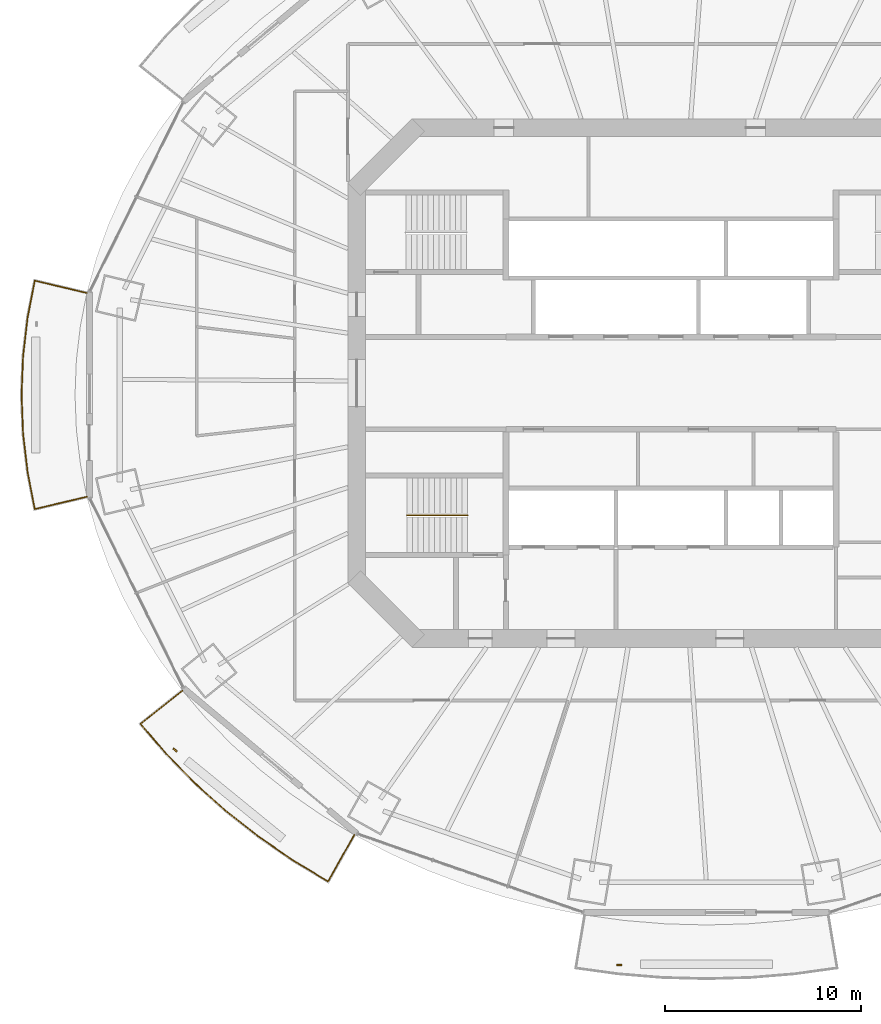
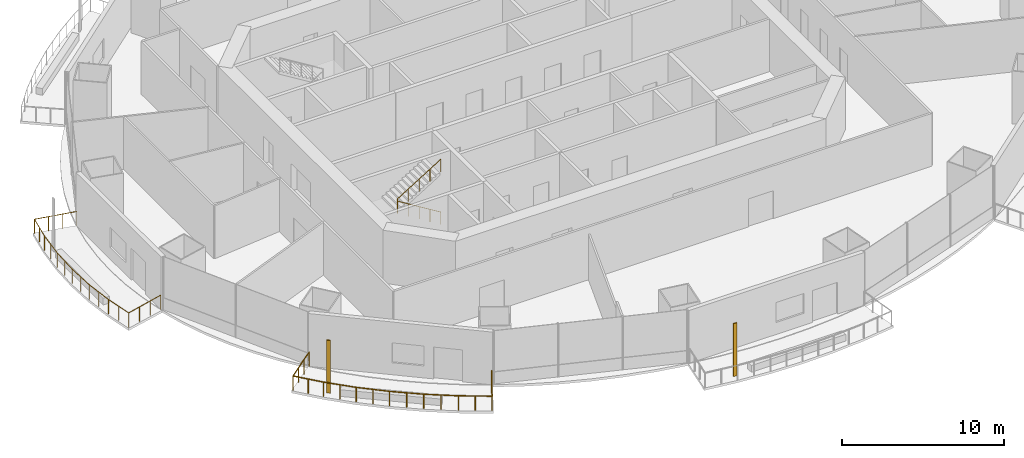
# One storey, part 15 of 20: 3 railings, 2 shading devices.
"""IFC4 building model written with IfcOpenShell, lengths in metres."""

from ifc_helpers import new_model, si_unit, direction, frame, origin, origin_2d, place, context, subcontext, project, spatial, rectangle, circle, extrude, material, material_profile, profile_set, type_object, element, save


model = new_model("IFC4")

# Units and contexts
model_context = context("Model", 3, precision=1e-05, world=origin(), true_north=direction((0.0, 1.0)))
body_context = subcontext(model_context, "Body", "Model", "MODEL_VIEW")
ifc_project = project(units=[si_unit("LENGTHUNIT", "METRE"), si_unit("AREAUNIT", "SQUARE_METRE"), si_unit("VOLUMEUNIT", "CUBIC_METRE"), si_unit("PLANEANGLEUNIT", "RADIAN"), si_unit("MASSUNIT", "GRAM", prefix="KILO")], contexts=[model_context])

# Site, building, storey
site_placement = place(None, origin())
site = spatial("IfcSite", under=ifc_project, at=site_placement, CompositionType="ELEMENT")
building_placement = place(site_placement, origin())
building = spatial("IfcBuilding", under=site, at=building_placement, Name="Marenthal Gate Tower", CompositionType="ELEMENT")
storey_placement = place(building_placement, frame((0.0, 0.0, 190.10009765625)))
storey = spatial("IfcBuildingStorey", under=building, at=storey_placement, Name="L41", CompositionType="ELEMENT", Elevation=190.10009765625)

# Railings
ifc_material_1 = material(Name="Stainless steel", Category="steel")
railing_type_1 = type_object("IfcRailingType", Name="Balcony guard 1100", PredefinedType="GUARDRAIL", material=ifc_material_1)
railing_1_placement = place(storey_placement, frame((-29.73583984375, -5.785888671875, 0.0)))
element("IfcRailing", 1, at=railing_1_placement, inside=storey, type_object=railing_type_1, Name="Balcony guard L41 bay 8", PredefinedType="GUARDRAIL", context=body_context, shape_type="SweptSolid", body=[
    extrude(circle(Radius=0.02392578125, at=origin_2d()), frame((0.0, 0.0, 1.076171875), z_axis=(-0.973011948097, -0.230284879064, -0.014718129449), x_axis=(0.230309825657, -0.973117353769, 0.0)), (0.0, 0.0, 1.0), 2.720458984375),
    extrude(circle(Radius=0.02392578125, at=origin_2d()), frame((-2.64697265625, -0.62646484375, 1.0361328125), z_axis=(-0.191356774256, 0.981520547389, 0.0), x_axis=(-0.981520547389, -0.191356774256, 0.0)), (0.0, 0.0, 1.0), 1.90478515625),
    extrude(circle(Radius=0.02392578125, at=origin_2d()), frame((-3.011474609375, 1.2431640625, 1.0361328125), z_axis=(-0.116519312563, 0.993188426131, 0.0), x_axis=(-0.993188426131, -0.116519312563, 0.0)), (0.0, 0.0, 1.0), 1.97998046875),
    extrude(circle(Radius=0.02392578125, at=origin_2d()), frame((-3.2421875, 3.209716796875, 1.0361328125), z_axis=(-0.038888278097, 0.999243564816, 0.0), x_axis=(-0.999243564816, -0.038888278097, 0.0)), (0.0, 0.0, 1.0), 1.9775390625),
    extrude(circle(Radius=0.02392578125, at=origin_2d()), frame((-3.319091796875, 5.185791015625, 1.0361328125), z_axis=(0.038888278097, 0.999243564816, 0.0), x_axis=(-0.999243564816, 0.038888278097, 0.0)), (0.0, 0.0, 1.0), 1.9775390625),
    extrude(circle(Radius=0.02392578125, at=origin_2d()), frame((-3.2421875, 7.161865234375, 1.0361328125), z_axis=(0.116519312563, 0.993188426131, 0.0), x_axis=(-0.993188426131, 0.116519312563, 0.0)), (0.0, 0.0, 1.0), 1.97998046875),
    extrude(circle(Radius=0.02392578125, at=origin_2d()), frame((-3.011474609375, 9.12841796875, 1.0361328125), z_axis=(0.19133270439, 0.981525239732, 0.0), x_axis=(-0.981525239732, 0.19133270439, 0.0)), (0.0, 0.0, 1.0), 1.905029296875),
    extrude(circle(Radius=0.02392578125, at=origin_2d()), frame((-2.64697265625, 10.998291015625, 1.0361328125), z_axis=(0.973011948097, -0.230284879064, 0.014718129449), x_axis=(0.230309825657, 0.973117353769, 0.0)), (0.0, 0.0, 1.0), 2.720458984375),
    extrude(circle(Radius=0.02099609375, at=origin_2d()), origin(), (0.0, 0.0, 1.0), 1.052001953125),
    extrude(circle(Radius=0.02099609375, at=origin_2d()), frame((-0.88232421875, -0.208740234375, -0.013427734375)), (0.0, 0.0, 1.0), 1.052001953125),
    extrude(circle(Radius=0.02099609375, at=origin_2d()), frame((-1.7646484375, -0.417724609375, -0.026611328125)), (0.0, 0.0, 1.0), 1.052001953125),
    extrude(circle(Radius=0.02099609375, at=origin_2d()), frame((-2.64697265625, -0.62646484375, -0.0400390625)), (0.0, 0.0, 1.0), 1.052001953125),
    extrude(circle(Radius=0.02099609375, at=origin_2d()), frame((-2.8291015625, 0.308349609375, -0.0400390625)), (0.0, 0.0, 1.0), 1.052001953125),
    extrude(circle(Radius=0.02099609375, at=origin_2d()), frame((-3.011474609375, 1.2431640625, -0.0400390625)), (0.0, 0.0, 1.0), 1.052001953125),
    extrude(circle(Radius=0.02099609375, at=origin_2d()), frame((-3.126953125, 2.2265625, -0.0400390625)), (0.0, 0.0, 1.0), 1.052001953125),
    extrude(circle(Radius=0.02099609375, at=origin_2d()), frame((-3.2421875, 3.209716796875, -0.0400390625)), (0.0, 0.0, 1.0), 1.052001953125),
    extrude(circle(Radius=0.02099609375, at=origin_2d()), frame((-3.28076171875, 4.19775390625, -0.0400390625)), (0.0, 0.0, 1.0), 1.052001953125),
    extrude(circle(Radius=0.02099609375, at=origin_2d()), frame((-3.319091796875, 5.185791015625, -0.0400390625)), (0.0, 0.0, 1.0), 1.052001953125),
    extrude(circle(Radius=0.02099609375, at=origin_2d()), frame((-3.28076171875, 6.173828125, -0.0400390625)), (0.0, 0.0, 1.0), 1.052001953125),
    extrude(circle(Radius=0.02099609375, at=origin_2d()), frame((-3.2421875, 7.161865234375, -0.0400390625)), (0.0, 0.0, 1.0), 1.052001953125),
    extrude(circle(Radius=0.02099609375, at=origin_2d()), frame((-3.126953125, 8.14501953125, -0.0400390625)), (0.0, 0.0, 1.0), 1.052001953125),
    extrude(circle(Radius=0.02099609375, at=origin_2d()), frame((-3.011474609375, 9.12841796875, -0.0400390625)), (0.0, 0.0, 1.0), 1.052001953125),
    extrude(circle(Radius=0.02099609375, at=origin_2d()), frame((-2.8291015625, 10.0634765625, -0.0400390625)), (0.0, 0.0, 1.0), 1.052001953125),
    extrude(circle(Radius=0.02099609375, at=origin_2d()), frame((-2.64697265625, 10.998291015625, -0.0400390625)), (0.0, 0.0, 1.0), 1.052001953125),
    extrude(circle(Radius=0.02099609375, at=origin_2d()), frame((-1.7646484375, 10.78955078125, -0.026611328125)), (0.0, 0.0, 1.0), 1.052001953125),
    extrude(circle(Radius=0.02099609375, at=origin_2d()), frame((-0.88232421875, 10.58056640625, -0.013427734375)), (0.0, 0.0, 1.0), 1.052001953125),
    extrude(circle(Radius=0.02099609375, at=origin_2d()), frame((0.0, 10.371826171875, 0.0)), (0.0, 0.0, 1.0), 1.052001953125),
])
railing_2_placement = place(storey_placement, frame((-16.123046875, -22.994873046875, 0.0)))
element("IfcRailing", 2, at=railing_2_placement, inside=storey, type_object=railing_type_1, Name="Balcony guard L41 bay 10", PredefinedType="GUARDRAIL", context=body_context, shape_type="SweptSolid", body=[
    extrude(circle(Radius=0.02392578125, at=origin_2d()), frame((0.0, 0.0, 1.076171875), z_axis=(-0.489517638595, -0.871869149489, -0.014719635631), x_axis=(0.871963617771, -0.489570678538, 0.0)), (0.0, 0.0, 1.0), 2.72021484375),
    extrude(circle(Radius=0.02392578125, at=origin_2d()), frame((-1.33154296875, -2.37158203125, 1.0361328125), z_axis=(-0.856269071779, 0.516530034668, 0.0), x_axis=(-0.516530034668, -0.856269071779, 0.0)), (0.0, 0.0, 1.0), 2.0810546875),
    extrude(circle(Radius=0.02392578125, at=origin_2d()), frame((-3.113525390625, -1.296630859375, 1.0361328125), z_axis=(-0.823383437497, 0.567485431404, 0.0), x_axis=(-0.567485431404, -0.823383437497, 0.0)), (0.0, 0.0, 1.0), 2.143798828125),
    extrude(circle(Radius=0.02392578125, at=origin_2d()), frame((-4.878662109375, -0.080078125, 1.0361328125), z_axis=(-0.786051281146, 0.61816129239, 0.0), x_axis=(-0.61816129239, -0.786051281146, 0.0)), (0.0, 0.0, 1.0), 2.1259765625),
    extrude(circle(Radius=0.02392578125, at=origin_2d()), frame((-6.5498046875, 1.234130859375, 1.0361328125), z_axis=(-0.744623035751, 0.667485231768, 0.0), x_axis=(-0.667485231768, -0.744623035751, 0.0)), (0.0, 0.0, 1.0), 2.10791015625),
    extrude(circle(Radius=0.02392578125, at=origin_2d()), frame((-8.119384765625, 2.64111328125, 1.0361328125), z_axis=(-0.698941095917, 0.715179239379, 0.0), x_axis=(-0.715179239379, -0.698941095917, 0.0)), (0.0, 0.0, 1.0), 2.08984375),
    extrude(circle(Radius=0.02392578125, at=origin_2d()), frame((-9.580078125, 4.1357421875, 1.0361328125), z_axis=(-0.650145331718, 0.759809875986, 0.0), x_axis=(-0.759809875986, -0.650145331718, 0.0)), (0.0, 0.0, 1.0), 1.992431640625),
    extrude(circle(Radius=0.02392578125, at=origin_2d()), frame((-10.87548828125, 5.649658203125, 1.0361328125), z_axis=(0.782654389214, 0.622282483065, 0.01471795893), x_axis=(-0.622349892908, 0.782739171626, 0.0)), (0.0, 0.0, 1.0), 2.720458984375),
    extrude(circle(Radius=0.02099609375, at=origin_2d()), origin(), (0.0, 0.0, 1.0), 1.052001953125),
    extrude(circle(Radius=0.02099609375, at=origin_2d()), frame((-0.44384765625, -0.79052734375, -0.013427734375)), (0.0, 0.0, 1.0), 1.052001953125),
    extrude(circle(Radius=0.02099609375, at=origin_2d()), frame((-0.8876953125, -1.5810546875, -0.026611328125)), (0.0, 0.0, 1.0), 1.052001953125),
    extrude(circle(Radius=0.02099609375, at=origin_2d()), frame((-1.33154296875, -2.37158203125, -0.0400390625)), (0.0, 0.0, 1.0), 1.052001953125),
    extrude(circle(Radius=0.02099609375, at=origin_2d()), frame((-2.22265625, -1.833984375, -0.0400390625)), (0.0, 0.0, 1.0), 1.052001953125),
    extrude(circle(Radius=0.02099609375, at=origin_2d()), frame((-3.113525390625, -1.296630859375, -0.0400390625)), (0.0, 0.0, 1.0), 1.052001953125),
    extrude(circle(Radius=0.02099609375, at=origin_2d()), frame((-3.99609375, -0.6884765625, -0.0400390625)), (0.0, 0.0, 1.0), 1.052001953125),
    extrude(circle(Radius=0.02099609375, at=origin_2d()), frame((-4.878662109375, -0.080078125, -0.0400390625)), (0.0, 0.0, 1.0), 1.052001953125),
    extrude(circle(Radius=0.02099609375, at=origin_2d()), frame((-5.71435546875, 0.5771484375, -0.0400390625)), (0.0, 0.0, 1.0), 1.052001953125),
    extrude(circle(Radius=0.02099609375, at=origin_2d()), frame((-6.5498046875, 1.234130859375, -0.0400390625)), (0.0, 0.0, 1.0), 1.052001953125),
    extrude(circle(Radius=0.02099609375, at=origin_2d()), frame((-7.33447265625, 1.9375, -0.0400390625)), (0.0, 0.0, 1.0), 1.052001953125),
    extrude(circle(Radius=0.02099609375, at=origin_2d()), frame((-8.119384765625, 2.64111328125, -0.0400390625)), (0.0, 0.0, 1.0), 1.052001953125),
    extrude(circle(Radius=0.02099609375, at=origin_2d()), frame((-8.849609375, 3.388427734375, -0.0400390625)), (0.0, 0.0, 1.0), 1.052001953125),
    extrude(circle(Radius=0.02099609375, at=origin_2d()), frame((-9.580078125, 4.1357421875, -0.0400390625)), (0.0, 0.0, 1.0), 1.052001953125),
    extrude(circle(Radius=0.02099609375, at=origin_2d()), frame((-10.227783203125, 4.892578125, -0.0400390625)), (0.0, 0.0, 1.0), 1.052001953125),
    extrude(circle(Radius=0.02099609375, at=origin_2d()), frame((-10.87548828125, 5.649658203125, -0.0400390625)), (0.0, 0.0, 1.0), 1.052001953125),
    extrude(circle(Radius=0.02099609375, at=origin_2d()), frame((-10.165771484375, 6.2138671875, -0.026611328125)), (0.0, 0.0, 1.0), 1.052001953125),
    extrude(circle(Radius=0.02099609375, at=origin_2d()), frame((-9.4560546875, 6.7783203125, -0.013427734375)), (0.0, 0.0, 1.0), 1.052001953125),
    extrude(circle(Radius=0.02099609375, at=origin_2d()), frame((-8.746337890625, 7.342529296875, 0.0)), (0.0, 0.0, 1.0), 1.052001953125),
])
ifc_material_2 = material(Name="Stainless steel", Category="steel")
railing_type_2 = type_object("IfcRailingType", Name="Stair handrail", PredefinedType="HANDRAIL", material=ifc_material_2)
railing_3_placement = place(storey_placement, frame((-10.35009765625, -6.72509765625, 0.1728515625)))
element("IfcRailing", 3, at=railing_3_placement, inside=storey, type_object=railing_type_2, Name="Handrail ST2", PredefinedType="HANDRAIL", context=body_context, shape_type="SweptSolid", body=[
    extrude(circle(Radius=0.0224609375, at=origin_2d()), frame((0.0, 0.0, 0.927490234375), z_axis=(-0.850816621229, 0.0, 0.525462726595), x_axis=(0.0, -1.0, 0.0)), (0.0, 0.0, 1.0), 3.619873046875),
    extrude(circle(Radius=0.0224609375, at=origin_2d()), frame((-3.079833984375, 0.0, 2.82958984375), z_axis=(0.0, 0.0, 1.0), x_axis=(1.0, 0.0, 0.0)), (0.0, 0.0, 1.0), 0.1728515625),
    extrude(circle(Radius=0.0224609375, at=origin_2d()), frame((-3.079833984375, 0.0, 3.00244140625), z_axis=(0.850816621229, 0.0, 0.525462726595), x_axis=(0.0, 1.0, 0.0)), (0.0, 0.0, 1.0), 3.619873046875),
    extrude(circle(Radius=0.02001953125, at=origin_2d()), origin(), (0.0, 0.0, 1.0), 0.905029296875),
    extrude(circle(Radius=0.02001953125, at=origin_2d()), frame((-0.77001953125, 0.0, 0.4755859375)), (0.0, 0.0, 1.0), 0.905029296875),
    extrude(circle(Radius=0.02001953125, at=origin_2d()), frame((-1.5400390625, 0.0, 0.951171875)), (0.0, 0.0, 1.0), 0.905029296875),
    extrude(circle(Radius=0.02001953125, at=origin_2d()), frame((-2.309814453125, 0.0, 1.426513671875)), (0.0, 0.0, 1.0), 0.905029296875),
    extrude(circle(Radius=0.02001953125, at=origin_2d()), frame((-3.079833984375, 0.0, 1.902099609375)), (0.0, 0.0, 1.0), 0.905029296875),
    extrude(circle(Radius=0.02001953125, at=origin_2d()), frame((-3.079833984375, 0.0, 2.074951171875)), (0.0, 0.0, 1.0), 0.905029296875),
    extrude(circle(Radius=0.02001953125, at=origin_2d()), frame((-2.309814453125, 0.0, 2.550537109375)), (0.0, 0.0, 1.0), 0.905029296875),
    extrude(circle(Radius=0.02001953125, at=origin_2d()), frame((-1.5400390625, 0.0, 3.02587890625)), (0.0, 0.0, 1.0), 0.905029296875),
    extrude(circle(Radius=0.02001953125, at=origin_2d()), frame((-0.77001953125, 0.0, 3.50146484375)), (0.0, 0.0, 1.0), 0.905029296875),
    extrude(circle(Radius=0.02001953125, at=origin_2d()), frame((0.0, 0.0, 3.97705078125)), (0.0, 0.0, 1.0), 0.905029296875),
])

# Shading devices
ifc_material_3 = material(Name="Terracotta", Category="masonry")
ifc_material_profile = material_profile(ifc_material_3, rectangle(XDim=0.25, YDim=0.080078125, at=origin_2d()), Name="Terracotta baguette 250x80")
ifc_profile_set = profile_set([ifc_material_profile], Name="Terracotta")
shading_device_type = type_object("IfcShadingDeviceType", Name="Terracotta BAGUETTE SCREEN 250x80", PredefinedType="USERDEFINED", material=ifc_profile_set)
for number, where, z_axis, x_axis, name in (
    (4, (-25.243408203125, -18.675048828125, -0.0400390625), (0.0, 0.0, 1.0), (0.765779593212, -0.64310311352, 0.0), "Terracotta BAGUETTE L41 bay 10L"),
    (5, (-2.63037109375, -29.625, -0.0400390625), (0.0, 0.0, 1.0), (1.0, 0.0, 0.0), "Terracotta BAGUETTE L41 bay 12L"),
):
    element("IfcShadingDevice", number, at=place(storey_placement, frame(where, z_axis=z_axis, x_axis=x_axis)), inside=storey, type_object=shading_device_type, Name=name, ObjectType="BAGUETTE SCREEN", PredefinedType="USERDEFINED", context=body_context, shape_type="SweptSolid", body=[
        extrude(rectangle(XDim=0.25, YDim=0.080078125, at=origin_2d()), origin(), (0.0, 0.0, 1.0), 3.969970703125),
    ])

save(model, "model.ifc")
